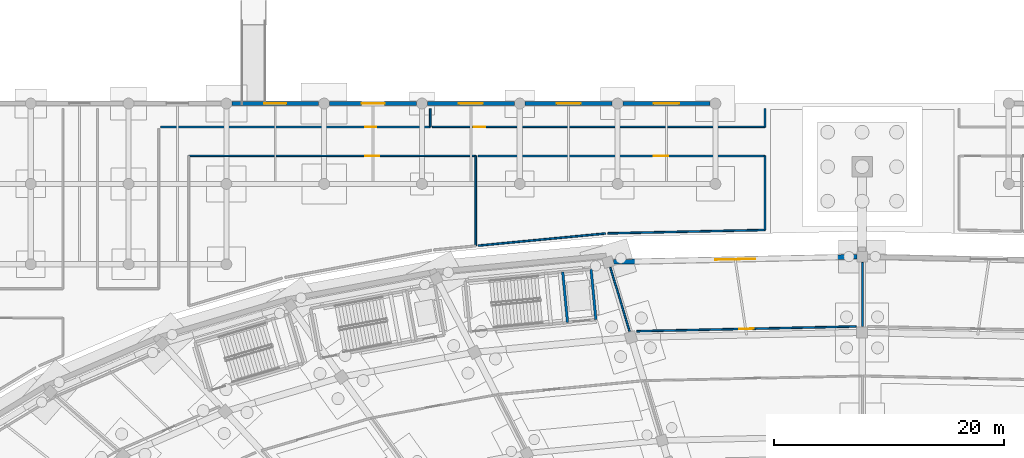
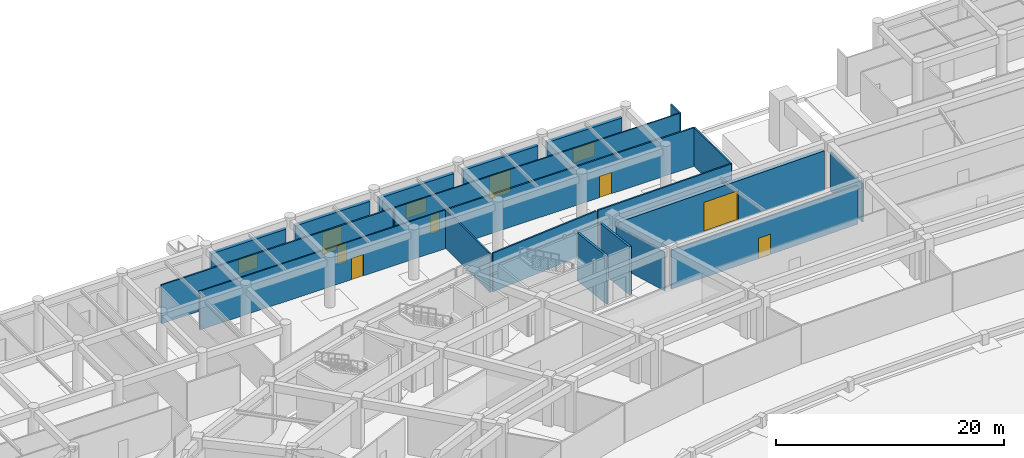
# One storey, part 59 of 88: 21 walls, 8 doors, 3 windows, 11 openings.
"""IFC4 building model written with IfcOpenShell, lengths in metres."""

from ifc_helpers import new_model, si_unit, direction, frame, frame_2d, origin, place, context, subcontext, project, spatial, rectangle, extrude, material, layer, layer_set, type_object, element, fill, save


model = new_model("IFC4")

# Units and contexts
model_context = context("Model", 3, precision=1e-05, world=origin(), true_north=direction((0.0, 1.0)))
body_context = subcontext(model_context, "Body", "Model", "MODEL_VIEW")
ifc_project = project(units=[si_unit("LENGTHUNIT", "METRE"), si_unit("AREAUNIT", "SQUARE_METRE"), si_unit("VOLUMEUNIT", "CUBIC_METRE"), si_unit("PLANEANGLEUNIT", "RADIAN"), si_unit("MASSUNIT", "GRAM", prefix="KILO")], contexts=[model_context])

# Site, building, storey
site_placement = place(None, origin())
site = spatial("IfcSite", under=ifc_project, at=site_placement, CompositionType="ELEMENT")
building_placement = place(site_placement, origin())
building = spatial("IfcBuilding", under=site, at=building_placement, Name="Mphavela Belvedere Stadium", CompositionType="ELEMENT")
storey_placement = place(building_placement, origin())
storey = spatial("IfcBuildingStorey", under=building, at=storey_placement, Name="L00", CompositionType="ELEMENT", Elevation=0.0)

# Walls
ifc_material_1 = material(Name="Concrete C40/50", Category="concrete")
ifc_layer_1 = layer(ifc_material_1, 0.219970703125)
ifc_layer_set_1 = layer_set([ifc_layer_1], Name="Concrete C40/50")
wall_type_1 = type_object("IfcWallType", Name="WAL-CORE-SHEAR-220", PredefinedType="SHEAR", material=ifc_layer_set_1)
for number, where, z_axis, x_axis, name in (
    (1, (91.81298828125, 155.177001953125, 0.0), (0.0, 0.0, 1.0), (-0.094942328893, 0.995482774429, 0.0), "Core C04 shear wall L00 right"),
    (2, (89.34423828125, 154.94140625, 0.0), (0.0, 0.0, 1.0), (-0.094942328893, 0.995482774429, 0.0), "Core C04 shear wall L00 div"),
):
    element("IfcWall", number, at=place(storey_placement, frame(where, z_axis=z_axis, x_axis=x_axis)), inside=storey, type_object=wall_type_1, Name=name, PredefinedType="SHEAR", context=body_context, shape_type="SweptSolid", body=[
        extrude(rectangle(XDim=4.41015625, YDim=0.219970703125, at=frame_2d((2.205078125, 0.0))), origin(), (0.0, 0.0, 1.0), 5.14990234375),
    ])

# Wall, opening, window
ifc_material_2 = material(Name="Honed ashlar limestone masonry", Category="masonry")
ifc_layer_2 = layer(ifc_material_2, 0.35009765625)
ifc_layer_set_2 = layer_set([ifc_layer_2], Name="Honed ashlar limestone masonry")
wall_type_2 = type_object("IfcWallType", Name="WAL-EXT-ASHLAR-350", PredefinedType="STANDARD", material=ifc_layer_set_2)
wall_1_placement = place(storey_placement, frame((60.10302734375, 174.0, 0.0), z_axis=(0.0, 0.0, 1.0), x_axis=(1.0, 0.0, 0.0)))
wall_1 = element("IfcWall", 3, at=wall_1_placement, inside=storey, type_object=wall_type_2, Name="North Mast and Ceremonial End Forecourt outer facade bay L00-08", PredefinedType="STANDARD", context=body_context, shape_type="SweptSolid", body=[
    extrude(rectangle(XDim=7.572021484375, YDim=0.35009765625, at=frame_2d((3.7861328125, 0.0))), origin(), (0.0, 0.0, 1.0), 4.159912109375),
])
opening_1_placement = place(wall_1_placement, frame((2.81591796875, 0.0, 0.89990234375)))
opening_1 = element("IfcOpeningElement", 4, at=opening_1_placement, cuts=wall_1, Name="Opening W-139", PredefinedType="OPENING", context=body_context, shape_type="SweptSolid", body=[
    extrude(rectangle(XDim=1.93994140625, YDim=1.550048828125, at=frame_2d((0.969970703125, 0.77490234375))), frame((0.0, 0.18505859375, 0.0), z_axis=(0.0, -1.0, 0.0), x_axis=(1.0, 0.0, 0.0)), (0.0, 0.0, 1.0), 0.3701171875),
])
ifc_material_3 = material(Name="Bronze-anodised thermally broken aluminium window", Category="aluminium")
window_type_1 = type_object("IfcWindowType", Name="WIN-EXT-07", PartitioningType="SINGLE_PANEL", PredefinedType="WINDOW", material=ifc_material_3)
window_1_placement = place(opening_1_placement, origin())
window_1 = element("IfcWindow", 5, at=window_1_placement, inside=storey, type_object=window_type_1, Name="North Mast and Ceremonial End Forecourt classical window W-139", OverallHeight=1.550048828125, OverallWidth=1.93994140625, PartitioningType="SINGLE_PANEL", PredefinedType="WINDOW", context=body_context, shape_type="SweptSolid", body=[
    extrude(rectangle(XDim=1.93994140625, YDim=1.550048828125, at=frame_2d((0.969970703125, 0.77490234375))), frame((0.0, 0.030029296875, 0.0), z_axis=(0.0, -1.0, 0.0), x_axis=(1.0, 0.0, 0.0)), (0.0, 0.0, 1.0), 0.06005859375),
])
fill(opening_1, window_1)

# Wall, opening, door
wall_2_placement = place(storey_placement, frame((68.62109375, 174.0, 0.0), z_axis=(0.0, 0.0, 1.0), x_axis=(1.0, 0.0, 0.0)))
wall_2 = element("IfcWall", 6, at=wall_2_placement, inside=storey, type_object=wall_type_2, Name="North Mast and Ceremonial End Forecourt outer facade bay L00-09", PredefinedType="STANDARD", context=body_context, shape_type="SweptSolid", body=[
    extrude(rectangle(XDim=7.572998046875, YDim=0.35009765625, at=frame_2d((3.78662109375, 0.0))), origin(), (0.0, 0.0, 1.0), 4.159912109375),
])
opening_2_placement = place(wall_2_placement, frame((2.78662109375, 0.0, 0.0)))
opening_2 = element("IfcOpeningElement", 7, at=opening_2_placement, cuts=wall_2, Name="Opening ED-043", PredefinedType="OPENING", context=body_context, shape_type="SweptSolid", body=[
    extrude(rectangle(XDim=2.0, YDim=2.39990234375, at=frame_2d((1.0, 1.199951171875))), frame((0.0, 0.18505859375, 0.0), z_axis=(0.0, -1.0, 0.0), x_axis=(1.0, 0.0, 0.0)), (0.0, 0.0, 1.0), 0.3701171875),
])
ifc_material_4 = material(Name="Glazed bronze-anodised steel exit doorset", Category="steel")
door_type_1 = type_object("IfcDoorType", Name="DR-EXT-03", OperationType="NOTDEFINED", PredefinedType="DOOR", material=ifc_material_4)
door_1_placement = place(opening_2_placement, origin())
door_1 = element("IfcDoor", 8, at=door_1_placement, inside=storey, type_object=door_type_1, Name="North Mast and Ceremonial End Forecourt ceremonial exit doorset ED-043", OperationType="DOUBLE_DOOR_SINGLE_SWING", OverallHeight=2.39990234375, OverallWidth=2.0, PredefinedType="DOOR", context=body_context, shape_type="SweptSolid", body=[
    extrude(rectangle(XDim=2.0, YDim=2.39990234375, at=frame_2d((1.0, 1.199951171875))), frame((0.0, 0.02490234375, 0.0), z_axis=(0.0, -1.0, 0.0), x_axis=(1.0, 0.0, 0.0)), (0.0, 0.0, 1.0), 0.050048828125),
])
fill(opening_2, door_1)

# Wall, opening, window
wall_3_placement = place(storey_placement, frame((77.139892578125, 174.0, 0.0), z_axis=(0.0, 0.0, 1.0), x_axis=(1.0, 0.0, 0.0)))
wall_3 = element("IfcWall", 9, at=wall_3_placement, inside=storey, type_object=wall_type_2, Name="North Mast and Ceremonial End Forecourt outer facade bay L00-10", PredefinedType="STANDARD", context=body_context, shape_type="SweptSolid", body=[
    extrude(rectangle(XDim=7.572021484375, YDim=0.35009765625, at=frame_2d((3.7861328125, 0.0))), origin(), (0.0, 0.0, 1.0), 4.159912109375),
])
opening_3_placement = place(wall_3_placement, frame((2.74609375, 0.0, 0.89990234375)))
opening_3 = element("IfcOpeningElement", 10, at=opening_3_placement, cuts=wall_3, Name="Opening W-140", PredefinedType="OPENING", context=body_context, shape_type="SweptSolid", body=[
    extrude(rectangle(XDim=2.080078125, YDim=1.550048828125, at=frame_2d((1.0400390625, 0.77490234375))), frame((0.0, 0.18505859375, 0.0), z_axis=(0.0, -1.0, 0.0), x_axis=(1.0, 0.0, 0.0)), (0.0, 0.0, 1.0), 0.3701171875),
])
ifc_material_5 = material(Name="Bronze-anodised thermally broken aluminium window", Category="aluminium")
window_type_2 = type_object("IfcWindowType", Name="WIN-EXT-08", PartitioningType="SINGLE_PANEL", PredefinedType="WINDOW", material=ifc_material_5)
window_2_placement = place(opening_3_placement, origin())
window_2 = element("IfcWindow", 11, at=window_2_placement, inside=storey, type_object=window_type_2, Name="North Mast and Ceremonial End Forecourt classical window W-140", OverallHeight=1.550048828125, OverallWidth=2.080078125, PartitioningType="SINGLE_PANEL", PredefinedType="WINDOW", context=body_context, shape_type="SweptSolid", body=[
    extrude(rectangle(XDim=2.080078125, YDim=1.550048828125, at=frame_2d((1.0400390625, 0.77490234375))), frame((0.0, 0.030029296875, 0.0), z_axis=(0.0, -1.0, 0.0), x_axis=(1.0, 0.0, 0.0)), (0.0, 0.0, 1.0), 0.06005859375),
])
fill(opening_3, window_2)

# Wall, opening, door
wall_4_placement = place(storey_placement, frame((85.657958984375, 174.0, 0.0), z_axis=(0.0, 0.0, 1.0), x_axis=(1.0, 0.0, 0.0)))
wall_4 = element("IfcWall", 12, at=wall_4_placement, inside=storey, type_object=wall_type_2, Name="North Mast and Ceremonial End Forecourt outer facade bay L00-11", PredefinedType="STANDARD", context=body_context, shape_type="SweptSolid", body=[
    extrude(rectangle(XDim=7.572998046875, YDim=0.35009765625, at=frame_2d((3.78662109375, 0.0))), origin(), (0.0, 0.0, 1.0), 4.159912109375),
])
opening_4_placement = place(wall_4_placement, frame((2.736572265625, 0.0, 0.0)))
opening_4 = element("IfcOpeningElement", 13, at=opening_4_placement, cuts=wall_4, Name="Opening ED-044", PredefinedType="OPENING", context=body_context, shape_type="SweptSolid", body=[
    extrude(rectangle(XDim=2.10009765625, YDim=2.449951171875, at=frame_2d((1.050048828125, 1.22509765625))), frame((0.0, 0.18505859375, 0.0), z_axis=(0.0, -1.0, 0.0), x_axis=(1.0, 0.0, 0.0)), (0.0, 0.0, 1.0), 0.3701171875),
])
ifc_material_6 = material(Name="Glazed bronze-anodised steel exit doorset", Category="steel")
door_type_2 = type_object("IfcDoorType", Name="DR-EXT-04", OperationType="NOTDEFINED", PredefinedType="DOOR", material=ifc_material_6)
door_2_placement = place(opening_4_placement, origin())
door_2 = element("IfcDoor", 14, at=door_2_placement, inside=storey, type_object=door_type_2, Name="North Mast and Ceremonial End Forecourt ceremonial exit doorset ED-044", OperationType="DOUBLE_DOOR_SINGLE_SWING", OverallHeight=2.449951171875, OverallWidth=2.10009765625, PredefinedType="DOOR", context=body_context, shape_type="SweptSolid", body=[
    extrude(rectangle(XDim=2.10009765625, YDim=2.449951171875, at=frame_2d((1.050048828125, 1.22509765625))), frame((0.0, 0.02490234375, 0.0), z_axis=(0.0, -1.0, 0.0), x_axis=(1.0, 0.0, 0.0)), (0.0, 0.0, 1.0), 0.050048828125),
])
fill(opening_4, door_2)

# Wall, opening, window
wall_5_placement = place(storey_placement, frame((94.177001953125, 174.0, 0.0), z_axis=(0.0, 0.0, 1.0), x_axis=(1.0, 0.0, 0.0)))
wall_5 = element("IfcWall", 15, at=wall_5_placement, inside=storey, type_object=wall_type_2, Name="North Mast and Ceremonial End Forecourt outer facade bay L00-12", PredefinedType="STANDARD", context=body_context, shape_type="SweptSolid", body=[
    extrude(rectangle(XDim=7.572021484375, YDim=0.35009765625, at=frame_2d((3.7861328125, 0.0))), origin(), (0.0, 0.0, 1.0), 4.159912109375),
])
opening_5_placement = place(wall_5_placement, frame((2.676025390625, 0.0, 0.89990234375)))
opening_5 = element("IfcOpeningElement", 16, at=opening_5_placement, cuts=wall_5, Name="Opening W-141", PredefinedType="OPENING", context=body_context, shape_type="SweptSolid", body=[
    extrude(rectangle(XDim=2.219970703125, YDim=1.550048828125, at=frame_2d((1.10986328125, 0.77490234375))), frame((0.0, 0.18505859375, 0.0), z_axis=(0.0, -1.0, 0.0), x_axis=(1.0, 0.0, 0.0)), (0.0, 0.0, 1.0), 0.3701171875),
])
ifc_material_7 = material(Name="Bronze-anodised thermally broken aluminium window", Category="aluminium")
window_type_3 = type_object("IfcWindowType", Name="WIN-EXT-09", PartitioningType="SINGLE_PANEL", PredefinedType="WINDOW", material=ifc_material_7)
window_3_placement = place(opening_5_placement, origin())
window_3 = element("IfcWindow", 17, at=window_3_placement, inside=storey, type_object=window_type_3, Name="North Mast and Ceremonial End Forecourt classical window W-141", OverallHeight=1.550048828125, OverallWidth=2.219970703125, PartitioningType="SINGLE_PANEL", PredefinedType="WINDOW", context=body_context, shape_type="SweptSolid", body=[
    extrude(rectangle(XDim=2.219970703125, YDim=1.550048828125, at=frame_2d((1.10986328125, 0.77490234375))), frame((0.0, 0.030029296875, 0.0), z_axis=(0.0, -1.0, 0.0), x_axis=(1.0, 0.0, 0.0)), (0.0, 0.0, 1.0), 0.06005859375),
])
fill(opening_5, window_3)

# Wall, opening, door
ifc_material_8 = material(Name="Rusticated ashlar limestone masonry", Category="masonry")
ifc_layer_3 = layer(ifc_material_8, 0.39990234375)
ifc_layer_set_3 = layer_set([ifc_layer_3], Name="Rusticated ashlar limestone masonry")
wall_type_3 = type_object("IfcWallType", Name="WAL-EXT-ASHLAR-400", PredefinedType="STANDARD", material=ifc_layer_set_3)
wall_6_placement = place(storey_placement, frame((93.333251953125, 160.203369140625, 0.0), z_axis=(0.0, 0.0, 1.0), x_axis=(0.999768115817, 0.021534033422, 0.0)))
wall_6 = element("IfcWall", 18, at=wall_6_placement, inside=storey, type_object=wall_type_3, Name="Ground plinth rusticated ashlar wall 13", PredefinedType="STANDARD", context=body_context, shape_type="SweptSolid", body=[
    extrude(rectangle(XDim=21.2236328125, YDim=0.39990234375, at=frame_2d((10.61181640625, 0.0))), origin(), (0.0, 0.0, 1.0), 4.25),
])
opening_6_placement = place(wall_6_placement, frame((8.86181640625, 0.0, 0.0)))
opening_6 = element("IfcOpeningElement", 19, at=opening_6_placement, cuts=wall_6, Name="Opening GT-02", PredefinedType="OPENING", context=body_context, shape_type="SweptSolid", body=[
    extrude(rectangle(XDim=3.5, YDim=3.199951171875, at=frame_2d((1.75, 1.60009765625))), frame((0.0, 0.2099609375, 0.0), z_axis=(0.0, -1.0, 0.0), x_axis=(1.0, 0.0, 0.0)), (0.0, 0.0, 1.0), 0.419921875),
])
ifc_material_9 = material(Name="Architectural bronze security gate")
door_type_3 = type_object("IfcDoorType", Name="GT-SRV-02", OperationType="NOTDEFINED", PredefinedType="GATE", material=ifc_material_9)
door_3_placement = place(opening_6_placement, origin())
door_3 = element("IfcDoor", 20, at=door_3_placement, inside=storey, type_object=door_type_3, Name="Portal service gate GT-02", OperationType="DOUBLE_DOOR_SINGLE_SWING", OverallHeight=3.199951171875, OverallWidth=3.5, PredefinedType="GATE", context=body_context, shape_type="SweptSolid", body=[
    extrude(rectangle(XDim=3.5, YDim=3.199951171875, at=frame_2d((1.75, 1.60009765625))), frame((0.0, 0.02490234375, 0.0), z_axis=(0.0, -1.0, 0.0), x_axis=(1.0, 0.0, 0.0)), (0.0, 0.0, 1.0), 0.050048828125),
])
fill(opening_6, door_3)

ifc_material_10 = material(Name="Moisture-resistant sanitary partition assembly")
ifc_layer_4 = layer(ifc_material_10, 0.125)
ifc_layer_set_4 = layer_set([ifc_layer_4], Name="Moisture-resistant sanitary partition assembly")
wall_type_4 = type_object("IfcWallType", Name="WAL-PART-125", PredefinedType="PARTITIONING", material=ifc_layer_set_4)
wall_7_placement = place(storey_placement, frame((56.360107421875, 169.43994140625, 0.0), z_axis=(0.0, 0.0, 1.0), x_axis=(1.0, 0.0, 0.0)))
wall_7 = element("IfcWall", 21, at=wall_7_placement, inside=storey, type_object=wall_type_4, Name="Room L00-188 corridor partition", PredefinedType="PARTITIONING", context=body_context, shape_type="SweptSolid", body=[
    extrude(rectangle(XDim=24.994873046875, YDim=0.125, at=frame_2d((12.49755859375, 0.0))), origin(), (0.0, 0.0, 1.0), 4.14990234375),
])
opening_7_placement = place(wall_7_placement, frame((15.35791015625, 0.0, 0.0)))
opening_7 = element("IfcOpeningElement", 22, at=opening_7_placement, cuts=wall_7, Name="Opening ID-429", PredefinedType="OPENING", context=body_context, shape_type="SweptSolid", body=[
    extrude(rectangle(XDim=1.219970703125, YDim=2.300048828125, at=frame_2d((0.60986328125, 1.14990234375))), frame((0.0, 0.072509765625, 0.0), z_axis=(0.0, -1.0, 0.0), x_axis=(1.0, 0.0, 0.0)), (0.0, 0.0, 1.0), 0.14501953125),
])
ifc_material_11 = material(Name="Hardwood acoustic timber doorset", Category="wood")
door_type_4 = type_object("IfcDoorType", Name="DR-INT-33", OperationType="NOTDEFINED", PredefinedType="DOOR", material=ifc_material_11)
door_4_placement = place(opening_7_placement, origin())
door_4 = element("IfcDoor", 23, at=door_4_placement, inside=storey, type_object=door_type_4, Name="Room L00-188 entrance door ID-429", OperationType="SINGLE_SWING_LEFT", OverallHeight=2.300048828125, OverallWidth=1.219970703125, PredefinedType="DOOR", context=body_context, shape_type="SweptSolid", body=[
    extrude(rectangle(XDim=1.219970703125, YDim=2.300048828125, at=frame_2d((0.60986328125, 1.14990234375))), frame((0.0, 0.02490234375, 0.0), z_axis=(0.0, -1.0, 0.0), x_axis=(1.0, 0.0, 0.0)), (0.0, 0.0, 1.0), 0.050048828125),
])
fill(opening_7, door_4)

wall_8_placement = place(storey_placement, frame((106.5, 171.9599609375, 0.0), z_axis=(0.0, 0.0, 1.0), x_axis=(-1.0, 0.0, 0.0)))
wall_8 = element("IfcWall", 24, at=wall_8_placement, inside=storey, type_object=wall_type_4, Name="Room L00-194 corridor partition", PredefinedType="PARTITIONING", context=body_context, shape_type="SweptSolid", body=[
    extrude(rectangle(XDim=28.919921875, YDim=0.125, at=frame_2d((14.4599609375, 0.0))), origin(), (0.0, 0.0, 1.0), 4.14990234375),
])
opening_8_placement = place(wall_8_placement, frame((24.343994140625, 0.0, 0.0)))
opening_8 = element("IfcOpeningElement", 25, at=opening_8_placement, cuts=wall_8, Name="Opening ID-435", PredefinedType="OPENING", context=body_context, shape_type="SweptSolid", body=[
    extrude(rectangle(XDim=0.97998046875, YDim=2.10009765625, at=frame_2d((0.489990234375, 1.050048828125))), frame((0.0, 0.072509765625, 0.0), z_axis=(0.0, -1.0, 0.0), x_axis=(1.0, 0.0, 0.0)), (0.0, 0.0, 1.0), 0.14501953125),
])
ifc_material_12 = material(Name="Hardwood acoustic timber doorset", Category="wood")
door_type_5 = type_object("IfcDoorType", Name="DR-INT-03", OperationType="NOTDEFINED", PredefinedType="DOOR", material=ifc_material_12)
door_5_placement = place(opening_8_placement, origin())
door_5 = element("IfcDoor", 26, at=door_5_placement, inside=storey, type_object=door_type_5, Name="Room L00-194 entrance door ID-435", OperationType="SINGLE_SWING_LEFT", OverallHeight=2.10009765625, OverallWidth=0.97998046875, PredefinedType="DOOR", context=body_context, shape_type="SweptSolid", body=[
    extrude(rectangle(XDim=0.97998046875, YDim=2.10009765625, at=frame_2d((0.489990234375, 1.050048828125))), frame((0.0, 0.02490234375, 0.0), z_axis=(0.0, -1.0, 0.0), x_axis=(1.0, 0.0, 0.0)), (0.0, 0.0, 1.0), 0.050048828125),
])
fill(opening_8, door_5)

ifc_material_13 = material(Name="Acoustic gypsum stud partition assembly")
ifc_layer_5 = layer(ifc_material_13, 0.14990234375)
ifc_layer_set_5 = layer_set([ifc_layer_5], Name="Acoustic gypsum stud partition assembly")
wall_type_5 = type_object("IfcWallType", Name="WAL-PART-150", PredefinedType="PARTITIONING", material=ifc_layer_set_5)
wall_9_placement = place(storey_placement, frame((114.48876953125, 154.5830078125, 0.0), z_axis=(0.0, 0.0, 1.0), x_axis=(-0.999768107727, -0.021534409017, 0.0)))
wall_9 = element("IfcWall", 27, at=wall_9_placement, inside=storey, type_object=wall_type_5, Name="Room L00-67 corridor partition", PredefinedType="PARTITIONING", context=body_context, shape_type="SweptSolid", body=[
    extrude(rectangle(XDim=19.13720703125, YDim=0.14990234375, at=frame_2d((9.568603515625, 0.0))), origin(), (0.0, 0.0, 1.0), 4.14990234375),
])
opening_9_placement = place(wall_9_placement, frame((8.938720703125, 0.0, 0.0)))
opening_9 = element("IfcOpeningElement", 28, at=opening_9_placement, cuts=wall_9, Name="Opening ID-022", PredefinedType="OPENING", context=body_context, shape_type="SweptSolid", body=[
    extrude(rectangle(XDim=1.260009765625, YDim=2.199951171875, at=frame_2d((0.6298828125, 1.10009765625))), frame((0.0, 0.0849609375, 0.0), z_axis=(0.0, -1.0, 0.0), x_axis=(1.0, 0.0, 0.0)), (0.0, 0.0, 1.0), 0.169921875),
])
ifc_material_14 = material(Name="Hardwood acoustic timber doorset", Category="wood")
door_type_6 = type_object("IfcDoorType", Name="DR-INT-22", OperationType="NOTDEFINED", PredefinedType="DOOR", material=ifc_material_14)
door_6_placement = place(opening_9_placement, origin())
door_6 = element("IfcDoor", 29, at=door_6_placement, inside=storey, type_object=door_type_6, Name="Room L00-67 entrance door ID-022", OperationType="SINGLE_SWING_RIGHT", OverallHeight=2.199951171875, OverallWidth=1.260009765625, PredefinedType="DOOR", context=body_context, shape_type="SweptSolid", body=[
    extrude(rectangle(XDim=1.260009765625, YDim=2.199951171875, at=frame_2d((0.6298828125, 1.10009765625))), frame((0.0, 0.02490234375, 0.0), z_axis=(0.0, -1.0, 0.0), x_axis=(1.0, 0.0, 0.0)), (0.0, 0.0, 1.0), 0.050048828125),
])
fill(opening_9, door_6)

wall_10_placement = place(storey_placement, frame((81.554931640625, 169.43994140625, 0.0), z_axis=(0.0, 0.0, 1.0), x_axis=(1.0, 0.0, 0.0)))
wall_10 = element("IfcWall", 30, at=wall_10_placement, inside=storey, type_object=wall_type_5, Name="Room L00-189 corridor partition", PredefinedType="PARTITIONING", context=body_context, shape_type="SweptSolid", body=[
    extrude(rectangle(XDim=24.945068359375, YDim=0.14990234375, at=frame_2d((12.47265625, 0.0))), origin(), (0.0, 0.0, 1.0), 4.14990234375),
])
opening_10_placement = place(wall_10_placement, frame((15.29931640625, 0.0, 0.0)))
opening_10 = element("IfcOpeningElement", 31, at=opening_10_placement, cuts=wall_10, Name="Opening ID-430", PredefinedType="OPENING", context=body_context, shape_type="SweptSolid", body=[
    extrude(rectangle(XDim=1.260009765625, YDim=2.300048828125, at=frame_2d((0.6298828125, 1.14990234375))), frame((0.0, 0.0849609375, 0.0), z_axis=(0.0, -1.0, 0.0), x_axis=(1.0, 0.0, 0.0)), (0.0, 0.0, 1.0), 0.169921875),
])
ifc_material_15 = material(Name="Hardwood acoustic timber doorset", Category="wood")
door_type_7 = type_object("IfcDoorType", Name="DR-INT-34", OperationType="NOTDEFINED", PredefinedType="DOOR", material=ifc_material_15)
door_7_placement = place(opening_10_placement, origin())
door_7 = element("IfcDoor", 32, at=door_7_placement, inside=storey, type_object=door_type_7, Name="Room L00-189 entrance door ID-430", OperationType="SINGLE_SWING_RIGHT", OverallHeight=2.300048828125, OverallWidth=1.260009765625, PredefinedType="DOOR", context=body_context, shape_type="SweptSolid", body=[
    extrude(rectangle(XDim=1.260009765625, YDim=2.300048828125, at=frame_2d((0.6298828125, 1.14990234375))), frame((0.0, 0.02490234375, 0.0), z_axis=(0.0, -1.0, 0.0), x_axis=(1.0, 0.0, 0.0)), (0.0, 0.0, 1.0), 0.050048828125),
])
fill(opening_10, door_7)

wall_11_placement = place(storey_placement, frame((77.3798828125, 171.9599609375, 0.0), z_axis=(0.0, 0.0, 1.0), x_axis=(-1.0, 0.0, 0.0)))
wall_11 = element("IfcWall", 33, at=wall_11_placement, inside=storey, type_object=wall_type_5, Name="Room L00-193 corridor partition", PredefinedType="PARTITIONING", context=body_context, shape_type="SweptSolid", body=[
    extrude(rectangle(XDim=23.47998046875, YDim=0.14990234375, at=frame_2d((11.739990234375, 0.0))), origin(), (0.0, 0.0, 1.0), 4.14990234375),
])
opening_11_placement = place(wall_11_placement, frame((4.699951171875, 0.0, 0.0)))
opening_11 = element("IfcOpeningElement", 34, at=opening_11_placement, cuts=wall_11, Name="Opening ID-434", PredefinedType="OPENING", context=body_context, shape_type="SweptSolid", body=[
    extrude(rectangle(XDim=0.93994140625, YDim=2.10009765625, at=frame_2d((0.469970703125, 1.050048828125))), frame((0.0, 0.0849609375, 0.0), z_axis=(0.0, -1.0, 0.0), x_axis=(1.0, 0.0, 0.0)), (0.0, 0.0, 1.0), 0.169921875),
])
ifc_material_16 = material(Name="Hardwood acoustic timber doorset", Category="wood")
door_type_8 = type_object("IfcDoorType", Name="DR-INT-02", OperationType="NOTDEFINED", PredefinedType="DOOR", material=ifc_material_16)
door_8_placement = place(opening_11_placement, origin())
door_8 = element("IfcDoor", 35, at=door_8_placement, inside=storey, type_object=door_type_8, Name="Room L00-193 entrance door ID-434", OperationType="SINGLE_SWING_RIGHT", OverallHeight=2.10009765625, OverallWidth=0.93994140625, PredefinedType="DOOR", context=body_context, shape_type="SweptSolid", body=[
    extrude(rectangle(XDim=0.93994140625, YDim=2.10009765625, at=frame_2d((0.469970703125, 1.050048828125))), frame((0.0, 0.02490234375, 0.0), z_axis=(0.0, -1.0, 0.0), x_axis=(1.0, 0.0, 0.0)), (0.0, 0.0, 1.0), 0.050048828125),
])
fill(opening_11, door_8)

# Walls
wall_12_placement = place(storey_placement, frame((115.0400390625, 154.593017578125, 0.0), z_axis=(0.0, 0.0, 1.0), x_axis=(0.0, 1.0, 0.0)))
element("IfcWall", 36, at=wall_12_placement, inside=storey, type_object=wall_type_5, Name="Room divider partition L00-0036", PredefinedType="PARTITIONING", context=body_context, shape_type="SweptSolid", body=[
    extrude(rectangle(XDim=5.576904296875, YDim=0.14990234375, at=frame_2d((2.78857421875, 0.0))), origin(), (0.0, 0.0, 1.0), 4.14990234375),
])
wall_13_placement = place(storey_placement, frame((94.750732421875, 154.157958984375, 0.0), z_axis=(0.0, 0.0, 1.0), x_axis=(-0.289195444178, 0.957270074256, 0.0)))
element("IfcWall", 37, at=wall_13_placement, inside=storey, type_object=wall_type_5, Name="Room divider partition L00-0040", PredefinedType="PARTITIONING", context=body_context, shape_type="SweptSolid", body=[
    extrude(rectangle(XDim=5.8173828125, YDim=0.14990234375, at=frame_2d((2.90869140625, 0.0))), origin(), (0.0, 0.0, 1.0), 4.14990234375),
])
wall_14_placement = place(storey_placement, frame((81.35498046875, 169.43994140625, 0.0), z_axis=(0.0, 0.0, 1.0), x_axis=(0.0, -1.0, 0.0)))
element("IfcWall", 38, at=wall_14_placement, inside=storey, type_object=wall_type_5, Name="Room divider partition L00-0917", PredefinedType="PARTITIONING", context=body_context, shape_type="SweptSolid", body=[
    extrude(rectangle(XDim=7.834228515625, YDim=0.14990234375, at=frame_2d((3.9169921875, 0.0))), origin(), (0.0, 0.0, 1.0), 4.14990234375),
])
wall_15_placement = place(storey_placement, frame((92.648193359375, 162.6826171875, 0.0), z_axis=(0.0, 0.0, 1.0), x_axis=(-0.995483944756, -0.094930057059, 0.0)))
element("IfcWall", 39, at=wall_15_placement, inside=storey, type_object=wall_type_5, Name="Room divider partition L00-0919", PredefinedType="PARTITIONING", context=body_context, shape_type="SweptSolid", body=[
    extrude(rectangle(XDim=11.1435546875, YDim=0.14990234375, at=frame_2d((5.57177734375, 0.0))), origin(), (0.0, 0.0, 1.0), 4.14990234375),
])
wall_16_placement = place(storey_placement, frame((106.550048828125, 169.4482421875, 0.0), z_axis=(0.0, 0.0, 1.0), x_axis=(0.0, -1.0, 0.0)))
element("IfcWall", 40, at=wall_16_placement, inside=storey, type_object=wall_type_5, Name="Room divider partition L00-0920", PredefinedType="PARTITIONING", context=body_context, shape_type="SweptSolid", body=[
    extrude(rectangle(XDim=6.459716796875, YDim=0.14990234375, at=frame_2d((3.22998046875, 0.0))), origin(), (0.0, 0.0, 1.0), 4.14990234375),
])
wall_17_placement = place(storey_placement, frame((106.550048828125, 162.988525390625, 0.0), z_axis=(0.0, 0.0, 1.0), x_axis=(-0.999768230535, -0.021528706714, 0.0)))
element("IfcWall", 41, at=wall_17_placement, inside=storey, type_object=wall_type_5, Name="Room divider partition L00-0921", PredefinedType="PARTITIONING", context=body_context, shape_type="SweptSolid", body=[
    extrude(rectangle(XDim=13.7216796875, YDim=0.14990234375, at=frame_2d((6.86083984375, 0.0))), origin(), (0.0, 0.0, 1.0), 4.14990234375),
])
wall_18_placement = place(storey_placement, frame((77.3798828125, 173.550048828125, 0.0), z_axis=(0.0, 0.0, 1.0), x_axis=(0.0, -1.0, 0.0)))
element("IfcWall", 42, at=wall_18_placement, inside=storey, type_object=wall_type_5, Name="Room divider partition L00-0935", PredefinedType="PARTITIONING", context=body_context, shape_type="SweptSolid", body=[
    extrude(rectangle(XDim=1.590087890625, YDim=0.14990234375, at=frame_2d((0.794921875, 0.0))), origin(), (0.0, 0.0, 1.0), 4.14990234375),
])
wall_19_placement = place(storey_placement, frame((106.550048828125, 173.550048828125, 0.0), z_axis=(0.0, 0.0, 1.0), x_axis=(-0.002293221305, -0.999997370565, 0.0)))
element("IfcWall", 43, at=wall_19_placement, inside=storey, type_object=wall_type_5, Name="Room divider partition L00-0936", PredefinedType="PARTITIONING", context=body_context, shape_type="SweptSolid", body=[
    extrude(rectangle(XDim=1.596923828125, YDim=0.14990234375, at=frame_2d((0.79833984375, 0.0))), origin(), (0.0, 0.0, 1.0), 4.14990234375),
])

save(model, "model.ifc")
